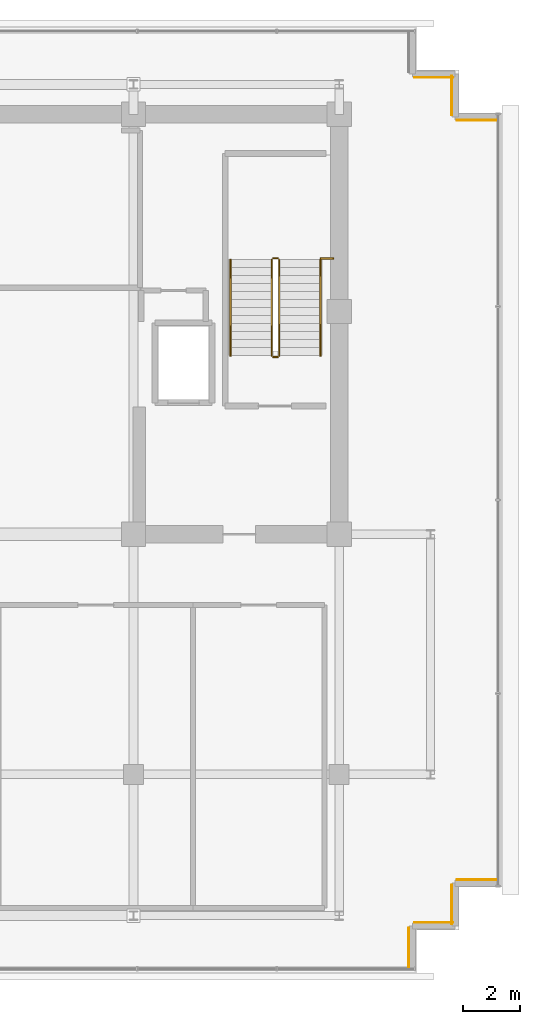
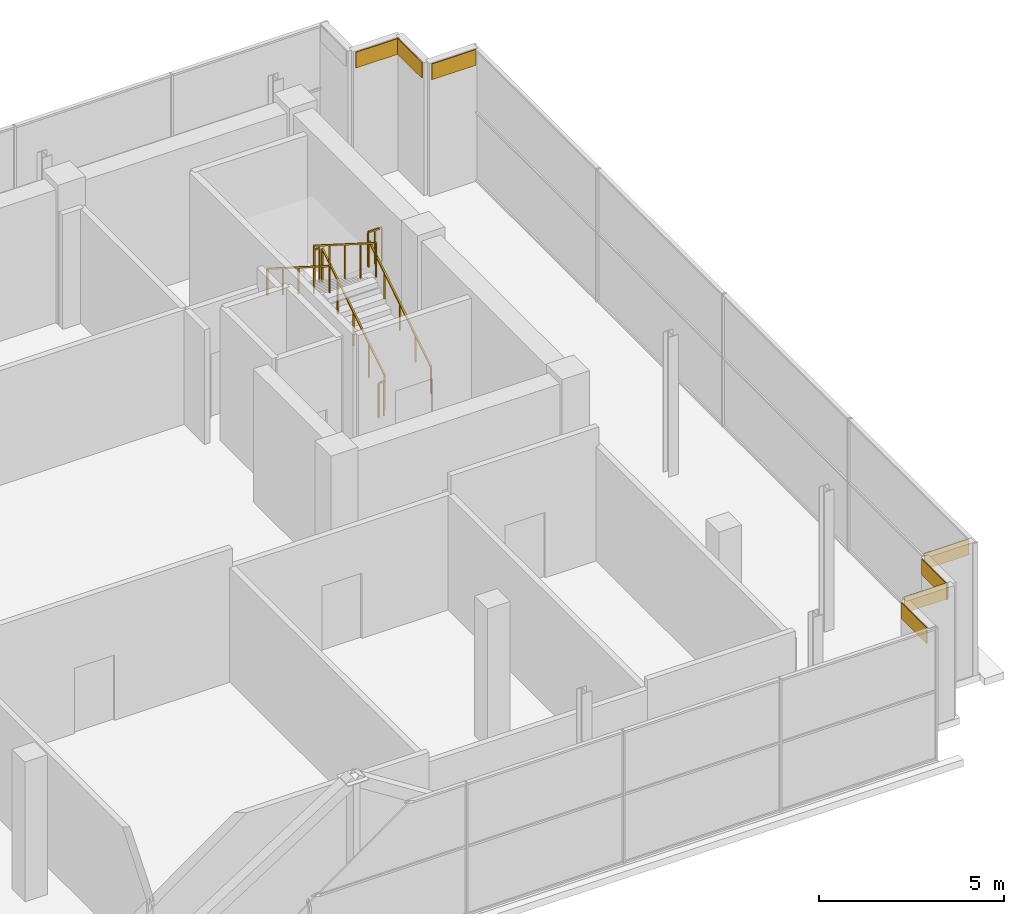
# One storey, part 27 of 28: 7 coverings, 7 railings.
"""IFC4 building model written with IfcOpenShell, lengths in metres."""

from ifc_helpers import new_model, si_unit, direction, frame, origin, origin_2d, place, context, subcontext, project, spatial, rectangle, extrude, source, transform, mapped, material, layer, layer_set, type_object, element, save


model = new_model("IFC4")

# Units and contexts
model_context = context("Model", 3, precision=1e-05, world=origin(), true_north=direction((0.0, 1.0)))
body_context = subcontext(model_context, "Body", "Model", "MODEL_VIEW")
ifc_project = project(units=[si_unit("LENGTHUNIT", "METRE"), si_unit("AREAUNIT", "SQUARE_METRE"), si_unit("VOLUMEUNIT", "CUBIC_METRE"), si_unit("PLANEANGLEUNIT", "RADIAN"), si_unit("MASSUNIT", "GRAM", prefix="KILO")], contexts=[model_context])

# Site, building, storey
site_placement = place(None, origin())
site = spatial("IfcSite", under=ifc_project, at=site_placement, CompositionType="ELEMENT")
building_placement = place(site_placement, origin())
building = spatial("IfcBuilding", under=site, at=building_placement, Name="Zarnakvel Exchange Tower", CompositionType="ELEMENT")
storey_placement = place(building_placement, frame((0.0, 0.0, 276.199951171875)))
storey = spatial("IfcBuildingStorey", under=building, at=storey_placement, Name="Crown L78", CompositionType="ELEMENT", Elevation=276.199951171875)

# Railings
ifc_material_1 = material(Name="Brushed Stainless Steel", Category="steel")
railing_type_1 = type_object("IfcRailingType", Name="HR-01", PredefinedType="HANDRAIL", material=ifc_material_1)
railing_1_placement = place(storey_placement, frame((13.75, 5.050048828125, 0.177001953125)))
element("IfcRailing", 1, at=railing_1_placement, inside=storey, type_object=railing_type_1, Name="Crown L78 ST-02 stair handrail 1", PredefinedType="HANDRAIL", context=body_context, shape_type="SweptSolid", body=[
    extrude(rectangle(XDim=0.048095703125, YDim=0.048095703125, at=origin_2d()), frame((0.0, 0.0, 0.8759765625), z_axis=(0.0, 0.845372108799, 0.534177870812), x_axis=(-1.0, 0.0, 0.0)), (0.0, 0.0, 1.0), 3.974365234375),
    extrude(rectangle(XDim=0.0419921875, YDim=0.0419921875, at=origin_2d()), origin(), (0.0, 0.0, 1.0), 0.851806640625),
    extrude(rectangle(XDim=0.0419921875, YDim=0.0419921875, at=origin_2d()), frame((0.0, 0.83984375, 0.53076171875)), (0.0, 0.0, 1.0), 0.851806640625),
    extrude(rectangle(XDim=0.0419921875, YDim=0.0419921875, at=origin_2d()), frame((0.0, 1.679931640625, 1.0615234375)), (0.0, 0.0, 1.0), 0.851806640625),
    extrude(rectangle(XDim=0.0419921875, YDim=0.0419921875, at=origin_2d()), frame((0.0, 2.52001953125, 1.59228515625)), (0.0, 0.0, 1.0), 0.851806640625),
    extrude(rectangle(XDim=0.0419921875, YDim=0.0419921875, at=origin_2d()), frame((0.0, 3.35986328125, 2.123046875)), (0.0, 0.0, 1.0), 0.851806640625),
])
railing_2_placement = place(storey_placement, frame((10.590087890625, 8.409912109375, 2.47705078125)))
element("IfcRailing", 2, at=railing_2_placement, inside=storey, type_object=railing_type_1, Name="Crown L78 ST-02 stair handrail 2", PredefinedType="HANDRAIL", context=body_context, shape_type="SweptSolid", body=[
    extrude(rectangle(XDim=0.048095703125, YDim=0.048095703125, at=origin_2d()), frame((0.0, 0.0, 0.8759765625), z_axis=(0.0, -0.845372108799, 0.534177870812), x_axis=(1.0, 0.0, 0.0)), (0.0, 0.0, 1.0), 3.974365234375),
    extrude(rectangle(XDim=0.0419921875, YDim=0.0419921875, at=origin_2d()), origin(), (0.0, 0.0, 1.0), 0.851806640625),
    extrude(rectangle(XDim=0.0419921875, YDim=0.0419921875, at=origin_2d()), frame((0.0, -0.83984375, 0.53076171875)), (0.0, 0.0, 1.0), 0.851806640625),
    extrude(rectangle(XDim=0.0419921875, YDim=0.0419921875, at=origin_2d()), frame((0.0, -1.679931640625, 1.0615234375)), (0.0, 0.0, 1.0), 0.851806640625),
    extrude(rectangle(XDim=0.0419921875, YDim=0.0419921875, at=origin_2d()), frame((0.0, -2.52001953125, 1.59228515625)), (0.0, 0.0, 1.0), 0.851806640625),
    extrude(rectangle(XDim=0.0419921875, YDim=0.0419921875, at=origin_2d()), frame((0.0, -3.35986328125, 2.123046875)), (0.0, 0.0, 1.0), 0.851806640625),
])
ifc_material_2 = material(Name="Architectural Bronze Anodised Aluminium", Category="aluminium")
railing_type_2 = type_object("IfcRailingType", Name="SG-01", PredefinedType="GUARDRAIL", material=ifc_material_2)
railing_3_placement = place(storey_placement, frame((12.300048828125, 5.050048828125, 0.177001953125)))
element("IfcRailing", 3, at=railing_3_placement, inside=storey, type_object=railing_type_2, Name="Crown L78 ST-02 stair guard 1", PredefinedType="GUARDRAIL", context=body_context, shape_type="SweptSolid", body=[
    extrude(rectangle(XDim=0.048095703125, YDim=0.048095703125, at=origin_2d()), frame((0.0, 0.0, 1.1259765625), z_axis=(0.0, 0.845372108799, 0.534177870812), x_axis=(-1.0, 0.0, 0.0)), (0.0, 0.0, 1.0), 3.974365234375),
    extrude(rectangle(XDim=0.0419921875, YDim=0.0419921875, at=origin_2d()), origin(), (0.0, 0.0, 1.0), 1.101806640625),
    extrude(rectangle(XDim=0.0419921875, YDim=0.0419921875, at=origin_2d()), frame((0.0, 0.83984375, 0.53076171875)), (0.0, 0.0, 1.0), 1.101806640625),
    extrude(rectangle(XDim=0.0419921875, YDim=0.0419921875, at=origin_2d()), frame((0.0, 1.679931640625, 1.0615234375)), (0.0, 0.0, 1.0), 1.101806640625),
    extrude(rectangle(XDim=0.0419921875, YDim=0.0419921875, at=origin_2d()), frame((0.0, 2.52001953125, 1.59228515625)), (0.0, 0.0, 1.0), 1.101806640625),
    extrude(rectangle(XDim=0.0419921875, YDim=0.0419921875, at=origin_2d()), frame((0.0, 3.35986328125, 2.123046875)), (0.0, 0.0, 1.0), 1.101806640625),
])
railing_4_placement = place(storey_placement, frame((12.25, 8.4599609375, 2.300048828125)))
element("IfcRailing", 4, at=railing_4_placement, inside=storey, type_object=railing_type_2, Name="Crown L78 ST-02 stair guard 2", PredefinedType="GUARDRAIL", context=body_context, shape_type="SweptSolid", body=[
    extrude(rectangle(XDim=0.048095703125, YDim=0.048095703125, at=origin_2d()), frame((0.0, 0.0, 1.1259765625), z_axis=(-1.0, 0.0, 0.0), x_axis=(0.0, -1.0, 0.0)), (0.0, 0.0, 1.0), 0.159912109375),
    extrude(rectangle(XDim=0.0419921875, YDim=0.0419921875, at=origin_2d()), origin(), (0.0, 0.0, 1.0), 1.101806640625),
    extrude(rectangle(XDim=0.0419921875, YDim=0.0419921875, at=origin_2d()), frame((-0.159912109375, 0.0, 0.0)), (0.0, 0.0, 1.0), 1.101806640625),
])
railing_5_placement = place(storey_placement, frame((12.0400390625, 8.409912109375, 2.47705078125)))
element("IfcRailing", 5, at=railing_5_placement, inside=storey, type_object=railing_type_2, Name="Crown L78 ST-02 stair guard 3", PredefinedType="GUARDRAIL", context=body_context, shape_type="SweptSolid", body=[
    extrude(rectangle(XDim=0.048095703125, YDim=0.048095703125, at=origin_2d()), frame((0.0, 0.0, 1.1259765625), z_axis=(0.0, -0.845372108799, 0.534177870812), x_axis=(1.0, 0.0, 0.0)), (0.0, 0.0, 1.0), 3.974365234375),
    extrude(rectangle(XDim=0.0419921875, YDim=0.0419921875, at=origin_2d()), origin(), (0.0, 0.0, 1.0), 1.101806640625),
    extrude(rectangle(XDim=0.0419921875, YDim=0.0419921875, at=origin_2d()), frame((0.0, -0.83984375, 0.53076171875)), (0.0, 0.0, 1.0), 1.101806640625),
    extrude(rectangle(XDim=0.0419921875, YDim=0.0419921875, at=origin_2d()), frame((0.0, -1.679931640625, 1.0615234375)), (0.0, 0.0, 1.0), 1.101806640625),
    extrude(rectangle(XDim=0.0419921875, YDim=0.0419921875, at=origin_2d()), frame((0.0, -2.52001953125, 1.59228515625)), (0.0, 0.0, 1.0), 1.101806640625),
    extrude(rectangle(XDim=0.0419921875, YDim=0.0419921875, at=origin_2d()), frame((0.0, -3.35986328125, 2.123046875)), (0.0, 0.0, 1.0), 1.101806640625),
])
railing_6_placement = place(storey_placement, frame((12.25, 5.0, 0.0)))
element("IfcRailing", 6, at=railing_6_placement, inside=storey, type_object=railing_type_2, Name="Crown L78 ST-02 stair guard 4", PredefinedType="GUARDRAIL", context=body_context, shape_type="SweptSolid", body=[
    extrude(rectangle(XDim=0.048095703125, YDim=0.048095703125, at=origin_2d()), frame((0.0, 0.0, 1.1259765625), z_axis=(-1.0, 0.0, 0.0), x_axis=(0.0, -1.0, 0.0)), (0.0, 0.0, 1.0), 0.159912109375),
    extrude(rectangle(XDim=0.0419921875, YDim=0.0419921875, at=origin_2d()), origin(), (0.0, 0.0, 1.0), 1.101806640625),
    extrude(rectangle(XDim=0.0419921875, YDim=0.0419921875, at=origin_2d()), frame((-0.159912109375, 0.0, 0.0)), (0.0, 0.0, 1.0), 1.101806640625),
])
railing_7_placement = place(storey_placement, frame((13.75, 8.449951171875, 2.300048828125)))
element("IfcRailing", 7, at=railing_7_placement, inside=storey, type_object=railing_type_2, Name="Crown L78 ST-02 Landing Slot Guardrail", PredefinedType="GUARDRAIL", context=body_context, shape_type="SweptSolid", body=[
    extrude(rectangle(XDim=0.048095703125, YDim=0.048095703125, at=origin_2d()), frame((0.0, 0.0, 1.1259765625), z_axis=(1.0, 0.0, 0.0), x_axis=(0.0, 1.0, 0.0)), (0.0, 0.0, 1.0), 0.429931640625),
    extrude(rectangle(XDim=0.0419921875, YDim=0.0419921875, at=origin_2d()), origin(), (0.0, 0.0, 1.0), 1.101806640625),
    extrude(rectangle(XDim=0.0419921875, YDim=0.0419921875, at=origin_2d()), frame((0.21484375, 0.0, 0.0)), (0.0, 0.0, 1.0), 1.101806640625),
    extrude(rectangle(XDim=0.0419921875, YDim=0.0419921875, at=origin_2d()), frame((0.429931640625, 0.0, 0.0)), (0.0, 0.0, 1.0), 1.101806640625),
])

# Coverings
ifc_material_3 = material(Name="Glazed Turquoise Ceramic Architectural Tile", Category="ceramic")
ifc_layer = layer(ifc_material_3, 0.028076171875)
ifc_layer_set = layer_set([ifc_layer], Name="Glazed Turquoise Ceramic Architectural Tile")
covering_type = type_object("IfcCoveringType", Name="CL-01", PredefinedType="CLADDING", material=ifc_layer_set)
shared_shape = source(origin(), body_context, "Body", "SweptSolid", [
    extrude(rectangle(XDim=1.3798828125, YDim=0.028076171875, at=origin_2d()), origin(), (0.0, 0.0, 1.0), 0.52001953125),
])
for number, where, z_axis, x_axis, name in (
    (8, (17.7099609375, 14.7880859375, 3.840087890625), (0.0, 0.0, 1.0), (-1.0, 0.0, 0.0), "Crown L78 Ceramic Spandrel Tilework CL-01"),
    (9, (18.337890625, 14.159912109375, 3.840087890625), (0.0, 0.0, 1.0), (0.0, 1.0, 0.0), "Crown L78 Ceramic Spandrel Tilework CL-01"),
    (10, (19.2099609375, 13.2880859375, 3.840087890625), (0.0, 0.0, 1.0), (-1.0, 0.0, 0.0), "Crown L78 Ceramic Spandrel Tilework CL-01"),
    (11, (19.2099609375, -13.2880859375, 3.840087890625), (0.0, 0.0, 1.0), (1.0, 0.0, 0.0), "Crown L78 Ceramic Spandrel Tilework CL-01"),
    (12, (18.337890625, -14.159912109375, 3.840087890625), (0.0, 0.0, 1.0), (0.0, 1.0, 0.0), "Crown L78 Ceramic Spandrel Tilework CL-01"),
    (13, (17.7099609375, -14.7880859375, 3.840087890625), (0.0, 0.0, 1.0), (1.0, 0.0, 0.0), "Crown L78 Ceramic Spandrel Tilework CL-01"),
    (14, (16.837890625, -15.659912109375, 3.840087890625), (0.0, 0.0, 1.0), (0.0, 1.0, 0.0), "Crown L78 Ceramic Spandrel Tilework CL-01"),
):
    element("IfcCovering", number, at=place(storey_placement, frame(where, z_axis=z_axis, x_axis=x_axis)), inside=storey, type_object=covering_type, Name=name, PredefinedType="CLADDING", context=body_context, shape_type="MappedRepresentation", body=[
        mapped(shared_shape, transform((0.0, 0.0, 0.0), x_axis=(1.0, 0.0, 0.0), y_axis=(0.0, 1.0, 0.0), z_axis=(0.0, 0.0, 1.0), scale=1.0)),
    ])

save(model, "model.ifc")
